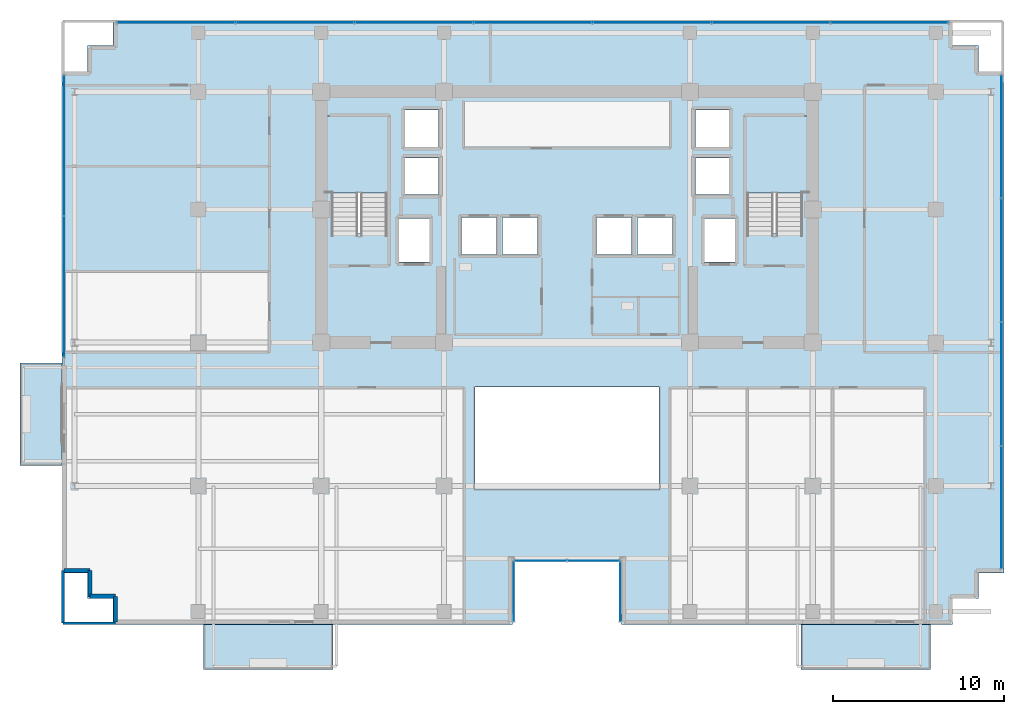
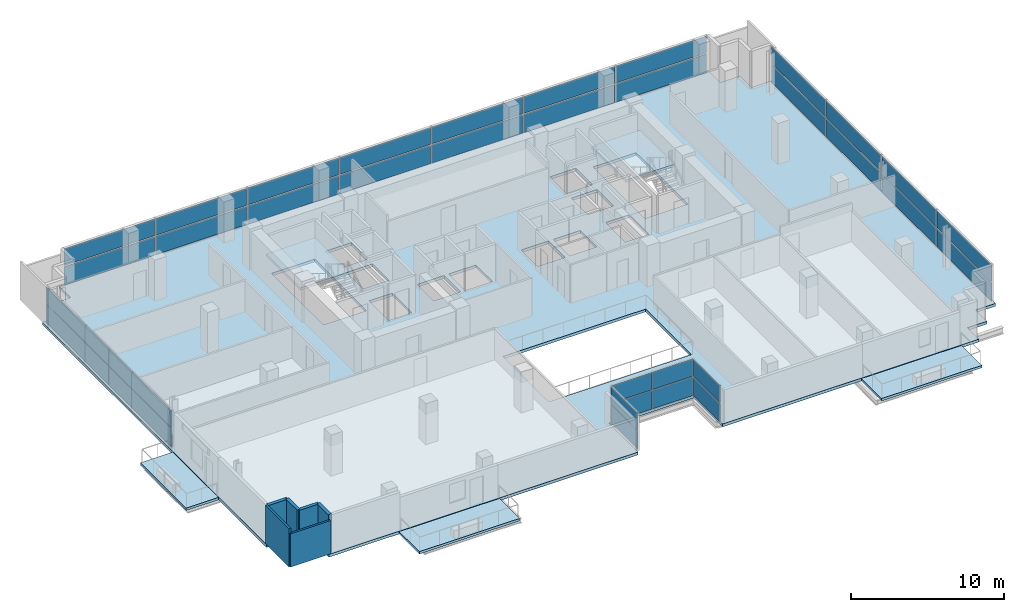
# One storey, part 19 of 28: 34 plates, 6 slabs, 6 walls, 8 elements without a shape of their own.
"""IFC4 building model written with IfcOpenShell, lengths in metres."""

from ifc_helpers import new_model, si_unit, direction, frame, frame_2d, origin, origin_2d, place, context, subcontext, project, spatial, polyline, rectangle, outline, extrude, source, transform, mapped, material, layer, layer_set, type_object, element, aggregate, save


model = new_model("IFC4")

# Units and contexts
model_context = context("Model", 3, precision=1e-05, world=origin(), true_north=direction((0.0, 1.0)))
body_context = subcontext(model_context, "Body", "Model", "MODEL_VIEW")
ifc_project = project(units=[si_unit("LENGTHUNIT", "METRE"), si_unit("AREAUNIT", "SQUARE_METRE"), si_unit("VOLUMEUNIT", "CUBIC_METRE"), si_unit("PLANEANGLEUNIT", "RADIAN"), si_unit("MASSUNIT", "GRAM", prefix="KILO")], contexts=[model_context])

# Site, building, storey
site_placement = place(None, origin())
site = spatial("IfcSite", under=ifc_project, at=site_placement, CompositionType="ELEMENT")
building_placement = place(site_placement, origin())
building = spatial("IfcBuilding", under=site, at=building_placement, Name="Zarnakvel Exchange Tower", CompositionType="ELEMENT")
storey_placement = place(building_placement, frame((0.0, 0.0, 109.89990234375)))
storey = spatial("IfcBuildingStorey", under=building, at=storey_placement, Name="L30", CompositionType="ELEMENT", Elevation=109.89990234375)

# Stair, slab
ifc_material_1 = material(Name="Concrete C40/50", Category="concrete")
stair_type = type_object("IfcStairType", Name="STR-01", PredefinedType="HALF_TURN_STAIR", material=ifc_material_1)
stair_1_placement = place(storey_placement, origin())
stair_1 = element("IfcStair", 1, at=stair_1_placement, inside=storey, type_object=stair_type, Name="L30 Protected Core Exit Stair ST-01", PredefinedType="HALF_TURN_STAIR")
ifc_layer_1 = layer(ifc_material_1, 0.199951171875)
ifc_layer_set_1 = layer_set([ifc_layer_1], Name="Concrete C40/50")
slab_type_1 = type_object("IfcSlabType", Name="LDG-01", PredefinedType="LANDING", material=ifc_layer_set_1)
slab_1_placement = place(storey_placement, frame((0.0, 0.0, 1.4501953125)))
slab_1 = element("IfcSlab", 2, at=slab_1_placement, type_object=slab_type_1, Name="ST-01 landing 1", PredefinedType="LANDING", context=body_context, shape_type="SweptSolid", body=[
    extrude(outline(polyline([(-14.18994140625, 7.570068359375), (-10.4599609375, 7.570068359375), (-10.4599609375, 12.080078125), (-14.18994140625, 12.080078125), (-14.18994140625, 7.570068359375)])), origin(), (0.0, 0.0, 1.0), 0.199951171875),
])
aggregate(stair_1, [slab_1])

stair_2_placement = place(storey_placement, origin())
stair_2 = element("IfcStair", 3, at=stair_2_placement, inside=storey, type_object=stair_type, Name="L30 Protected Core Exit Stair ST-02", PredefinedType="HALF_TURN_STAIR")
slab_2_placement = place(storey_placement, frame((0.0, 0.0, 1.4501953125)))
slab_2 = element("IfcSlab", 4, at=slab_2_placement, type_object=slab_type_1, Name="ST-02 landing 1", PredefinedType="LANDING", context=body_context, shape_type="SweptSolid", body=[
    extrude(outline(polyline([(10.4599609375, 7.570068359375), (14.18994140625, 7.570068359375), (14.18994140625, 12.080078125), (10.4599609375, 12.080078125), (10.4599609375, 7.570068359375)])), origin(), (0.0, 0.0, 1.0), 0.199951171875),
])
aggregate(stair_2, [slab_2])

# Slabs
ifc_layer_2 = layer(ifc_material_1, 0.22509765625)
ifc_layer_set_2 = layer_set([ifc_layer_2], Name="Concrete C40/50")
slab_type_2 = type_object("IfcSlabType", Name="SL-04", PredefinedType="FLOOR", material=ifc_layer_set_2)
slab_3_placement = place(storey_placement, frame((0.0, 0.0, -0.224853515625)))
element("IfcSlab", 5, at=slab_3_placement, inside=storey, type_object=slab_type_2, Name="L30 Primary Structural Floor Slab", PredefinedType="FLOOR", context=body_context, shape_type="SweptSolid", body=[
    extrude(outline(polyline([(-29.60009765625, -14.699951171875), (-28.10009765625, -14.699951171875), (-28.10009765625, -16.199951171875), (-26.60009765625, -16.199951171875), (-26.60009765625, -17.699951171875), (-3.199951171875, -17.699951171875), (-3.199951171875, -13.89990234375), (3.199951171875, -13.89990234375), (3.199951171875, -17.699951171875), (22.60009765625, -17.699951171875), (22.60009765625, -16.199951171875), (24.10009765625, -16.199951171875), (24.10009765625, -14.699951171875), (25.60009765625, -14.699951171875), (25.60009765625, 14.699951171875), (24.10009765625, 14.699951171875), (24.10009765625, 16.199951171875), (22.60009765625, 16.199951171875), (22.60009765625, 17.699951171875), (-26.60009765625, 17.699951171875), (-26.60009765625, 16.199951171875), (-28.10009765625, 16.199951171875), (-28.10009765625, 14.699951171875), (-29.60009765625, 14.699951171875), (-29.60009765625, -14.699951171875)]), holes=[polyline([(-5.39990234375, -9.800048828125), (5.39990234375, -9.800048828125), (5.39990234375, -3.800048828125), (-5.39990234375, -3.800048828125), (-5.39990234375, -9.800048828125)]), polyline([(-13.800048828125, 5.2099609375), (-10.5400390625, 5.2099609375), (-10.5400390625, 12.0), (-13.800048828125, 12.0), (-13.800048828125, 5.2099609375)]), polyline([(10.5400390625, 5.2099609375), (13.800048828125, 5.2099609375), (13.800048828125, 12.0), (10.5400390625, 12.0), (10.5400390625, 5.2099609375)]), polyline([(-9.830078125, 3.52001953125), (-8.070068359375, 3.52001953125), (-8.070068359375, 6.080078125), (-9.830078125, 6.080078125), (-9.830078125, 3.52001953125)]), polyline([(8.070068359375, 3.52001953125), (9.830078125, 3.52001953125), (9.830078125, 6.080078125), (8.070068359375, 6.080078125), (8.070068359375, 3.52001953125)]), polyline([(-6.179931640625, 3.969970703125), (-4.1201171875, 3.969970703125), (-4.1201171875, 6.1298828125), (-6.179931640625, 6.1298828125), (-6.179931640625, 3.969970703125)]), polyline([(-3.780029296875, 3.969970703125), (-1.719970703125, 3.969970703125), (-1.719970703125, 6.1298828125), (-3.780029296875, 6.1298828125), (-3.780029296875, 3.969970703125)]), polyline([(1.719970703125, 3.969970703125), (3.780029296875, 3.969970703125), (3.780029296875, 6.1298828125), (1.719970703125, 6.1298828125), (1.719970703125, 3.969970703125)]), polyline([(4.1201171875, 3.969970703125), (6.179931640625, 3.969970703125), (6.179931640625, 6.1298828125), (4.1201171875, 6.1298828125), (4.1201171875, 3.969970703125)]), polyline([(-9.47998046875, 7.469970703125), (-7.52001953125, 7.469970703125), (-7.52001953125, 9.6298828125), (-9.47998046875, 9.6298828125), (-9.47998046875, 7.469970703125)]), polyline([(-9.47998046875, 10.27001953125), (-7.52001953125, 10.27001953125), (-7.52001953125, 12.429931640625), (-9.47998046875, 12.429931640625), (-9.47998046875, 10.27001953125)]), polyline([(7.52001953125, 7.469970703125), (9.47998046875, 7.469970703125), (9.47998046875, 9.6298828125), (7.52001953125, 9.6298828125), (7.52001953125, 7.469970703125)]), polyline([(7.52001953125, 10.27001953125), (9.47998046875, 10.27001953125), (9.47998046875, 12.429931640625), (7.52001953125, 12.429931640625), (7.52001953125, 10.27001953125)])]), origin(), (0.0, 0.0, 1.0), 0.224853515625),
])
ifc_layer_3 = layer(ifc_material_1, 0.18994140625)
ifc_layer_set_3 = layer_set([ifc_layer_3], Name="Concrete C40/50")
slab_type_3 = type_object("IfcSlabType", Name="SL-08", PredefinedType="USERDEFINED", material=ifc_layer_set_3)
slab_4_placement = place(storey_placement, frame((0.0, 0.0, -0.224853515625)))
element("IfcSlab", 6, at=slab_4_placement, inside=storey, type_object=slab_type_3, Name="L30 Planted Loggia Balcony Slab BAL-L30-SW", ObjectType="BALCONY", PredefinedType="USERDEFINED", context=body_context, shape_type="SweptSolid", body=[
    extrude(outline(polyline([(-21.300048828125, -20.35009765625), (-13.699951171875, -20.35009765625), (-13.699951171875, -17.699951171875), (-21.300048828125, -17.699951171875), (-21.300048828125, -20.35009765625)])), origin(), (0.0, 0.0, 1.0), 0.18994140625),
])
slab_5_placement = place(storey_placement, frame((0.0, 0.0, -0.224853515625)))
element("IfcSlab", 7, at=slab_5_placement, inside=storey, type_object=slab_type_3, Name="L30 Planted Loggia Balcony Slab BAL-L30-SE", ObjectType="BALCONY", PredefinedType="USERDEFINED", context=body_context, shape_type="SweptSolid", body=[
    extrude(outline(polyline([(13.699951171875, -20.35009765625), (21.300048828125, -20.35009765625), (21.300048828125, -17.699951171875), (13.699951171875, -17.699951171875), (13.699951171875, -20.35009765625)])), origin(), (0.0, 0.0, 1.0), 0.18994140625),
])
slab_6_placement = place(storey_placement, frame((0.0, 0.0, -0.224853515625)))
element("IfcSlab", 8, at=slab_6_placement, inside=storey, type_object=slab_type_3, Name="L30 Planted Loggia Balcony Slab BAL-L30-W", ObjectType="BALCONY", PredefinedType="USERDEFINED", context=body_context, shape_type="SweptSolid", body=[
    extrude(outline(polyline([(-32.050048828125, -8.39990234375), (-29.60009765625, -8.39990234375), (-29.60009765625, -2.39990234375), (-32.050048828125, -2.39990234375), (-32.050048828125, -8.39990234375)])), origin(), (0.0, 0.0, 1.0), 0.18994140625),
])

# Curtain wall, plate
ifc_material_2 = material(Name="Architectural Bronze Anodised Aluminium", Category="aluminium")
ifc_layer_4 = layer(ifc_material_2, 0.179931640625)
ifc_layer_set_4 = layer_set([ifc_layer_4], Name="Architectural Bronze Anodised Aluminium")
curtain_wall_type_1 = type_object("IfcCurtainWallType", Name="CW-05", PredefinedType="NOTDEFINED", material=ifc_layer_set_4)
curtain_wall_1_placement = place(storey_placement, origin())
curtain_wall_1 = element("IfcCurtainWall", 9, at=curtain_wall_1_placement, inside=storey, type_object=curtain_wall_type_1, Name="L30 Curtain Wall CW-L30-SLW (CW-05)", PredefinedType="NOTDEFINED")
ifc_material_3 = material(Name="Double Low-E Laminated Vision Glass", Category="glass")
ifc_layer_5 = layer(ifc_material_3, 0.02587890625)
ifc_layer_set_5 = layer_set([ifc_layer_5], Name="Double Low-E Laminated Vision Glass")
plate_type_1 = type_object("IfcPlateType", Name="CWP-05", PredefinedType="CURTAIN_PANEL", material=ifc_layer_set_5)
shared_shape_1 = source(origin(), body_context, "Body", "SweptSolid", [
    extrude(rectangle(XDim=3.4599609375, YDim=0.02587890625, at=origin_2d()), origin(), (0.0, 0.0, 1.0), 1.483642578125),
])
plate_1_placement = place(storey_placement, frame((-3.1201171875, -15.780029296875, 0.0703125), z_axis=(0.0, 0.0, 1.0), x_axis=(0.0, 1.0, 0.0)))
plate_1 = element("IfcPlate", 10, at=plate_1_placement, type_object=plate_type_1, Name="CW-05 panel 1.1", PredefinedType="CURTAIN_PANEL", context=body_context, shape_type="MappedRepresentation", body=[
    mapped(shared_shape_1, transform((0.0, 0.0, 0.0), x_axis=(1.0, 0.0, 0.0), y_axis=(0.0, 1.0, 0.0), z_axis=(0.0, 0.0, 1.0), scale=1.0)),
])

curtain_wall_2_placement = place(storey_placement, origin())
curtain_wall_2 = element("IfcCurtainWall", 11, at=curtain_wall_2_placement, inside=storey, type_object=curtain_wall_type_1, Name="L30 Curtain Wall CW-L30-SLE (CW-05)", PredefinedType="NOTDEFINED")
plate_2_placement = place(storey_placement, frame((3.1201171875, -15.780029296875, 0.0703125), z_axis=(0.0, 0.0, 1.0), x_axis=(0.0, -1.0, 0.0)))
plate_2 = element("IfcPlate", 12, at=plate_2_placement, type_object=plate_type_1, Name="CW-05 panel 1.1", PredefinedType="CURTAIN_PANEL", context=body_context, shape_type="MappedRepresentation", body=[
    mapped(shared_shape_1, transform((0.0, 0.0, 0.0), x_axis=(1.0, 0.0, 0.0), y_axis=(0.0, 1.0, 0.0), z_axis=(0.0, 0.0, 1.0), scale=1.0)),
])

# Plate
shared_shape_2 = source(origin(), body_context, "Body", "SweptSolid", [
    extrude(rectangle(XDim=3.4599609375, YDim=0.02587890625, at=origin_2d()), origin(), (0.0, 0.0, 1.0), 1.361328125),
])
plate_3_placement = place(storey_placement, frame((-3.1201171875, -15.780029296875, 1.623779296875), z_axis=(0.0, 0.0, 1.0), x_axis=(0.0, 1.0, 0.0)))
plate_3 = element("IfcPlate", 13, at=plate_3_placement, type_object=plate_type_1, Name="CW-05 panel 1.2", PredefinedType="CURTAIN_PANEL", context=body_context, shape_type="MappedRepresentation", body=[
    mapped(shared_shape_2, transform((0.0, 0.0, 0.0), x_axis=(1.0, 0.0, 0.0), y_axis=(0.0, 1.0, 0.0), z_axis=(0.0, 0.0, 1.0), scale=1.0)),
])

aggregate(curtain_wall_1, [plate_1, plate_3])

plate_4_placement = place(storey_placement, frame((3.1201171875, -15.780029296875, 1.623779296875), z_axis=(0.0, 0.0, 1.0), x_axis=(0.0, -1.0, 0.0)))
plate_4 = element("IfcPlate", 14, at=plate_4_placement, type_object=plate_type_1, Name="CW-05 panel 1.2", PredefinedType="CURTAIN_PANEL", context=body_context, shape_type="MappedRepresentation", body=[
    mapped(shared_shape_2, transform((0.0, 0.0, 0.0), x_axis=(1.0, 0.0, 0.0), y_axis=(0.0, 1.0, 0.0), z_axis=(0.0, 0.0, 1.0), scale=1.0)),
])

aggregate(curtain_wall_2, [plate_2, plate_4])

# Curtain wall, plates
curtain_wall_3_placement = place(storey_placement, origin())
curtain_wall_3 = element("IfcCurtainWall", 15, at=curtain_wall_3_placement, inside=storey, type_object=curtain_wall_type_1, Name="L30 Curtain Wall CW-L30-SLB (CW-05)", PredefinedType="NOTDEFINED")
shared_shape_3 = source(origin(), body_context, "Body", "SweptSolid", [
    extrude(rectangle(XDim=3.014892578125, YDim=0.02587890625, at=origin_2d()), origin(), (0.0, 0.0, 1.0), 1.483642578125),
])
plate_5_placement = place(storey_placement, frame((-1.54248046875, -13.97998046875, 0.0703125), z_axis=(0.0, 0.0, 1.0), x_axis=(1.0, 0.0, 0.0)))
plate_5 = element("IfcPlate", 16, at=plate_5_placement, type_object=plate_type_1, Name="CW-05 panel 1.1", PredefinedType="CURTAIN_PANEL", context=body_context, shape_type="MappedRepresentation", body=[
    mapped(shared_shape_3, transform((0.0, 0.0, 0.0), x_axis=(1.0, 0.0, 0.0), y_axis=(0.0, 1.0, 0.0), z_axis=(0.0, 0.0, 1.0), scale=1.0)),
])
plate_6_placement = place(storey_placement, frame((1.54248046875, -13.97998046875, 0.0703125), z_axis=(0.0, 0.0, 1.0), x_axis=(1.0, 0.0, 0.0)))
plate_6 = element("IfcPlate", 17, at=plate_6_placement, type_object=plate_type_1, Name="CW-05 panel 2.1", PredefinedType="CURTAIN_PANEL", context=body_context, shape_type="MappedRepresentation", body=[
    mapped(shared_shape_3, transform((0.0, 0.0, 0.0), x_axis=(1.0, 0.0, 0.0), y_axis=(0.0, 1.0, 0.0), z_axis=(0.0, 0.0, 1.0), scale=1.0)),
])
shared_shape_4 = source(origin(), body_context, "Body", "SweptSolid", [
    extrude(rectangle(XDim=3.014892578125, YDim=0.02587890625, at=origin_2d()), origin(), (0.0, 0.0, 1.0), 1.361328125),
])
plate_7_placement = place(storey_placement, frame((-1.54248046875, -13.97998046875, 1.623779296875), z_axis=(0.0, 0.0, 1.0), x_axis=(1.0, 0.0, 0.0)))
plate_7 = element("IfcPlate", 18, at=plate_7_placement, type_object=plate_type_1, Name="CW-05 panel 1.2", PredefinedType="CURTAIN_PANEL", context=body_context, shape_type="MappedRepresentation", body=[
    mapped(shared_shape_4, transform((0.0, 0.0, 0.0), x_axis=(1.0, 0.0, 0.0), y_axis=(0.0, 1.0, 0.0), z_axis=(0.0, 0.0, 1.0), scale=1.0)),
])
plate_8_placement = place(storey_placement, frame((1.54248046875, -13.97998046875, 1.623779296875), z_axis=(0.0, 0.0, 1.0), x_axis=(1.0, 0.0, 0.0)))
plate_8 = element("IfcPlate", 19, at=plate_8_placement, type_object=plate_type_1, Name="CW-05 panel 2.2", PredefinedType="CURTAIN_PANEL", context=body_context, shape_type="MappedRepresentation", body=[
    mapped(shared_shape_4, transform((0.0, 0.0, 0.0), x_axis=(1.0, 0.0, 0.0), y_axis=(0.0, 1.0, 0.0), z_axis=(0.0, 0.0, 1.0), scale=1.0)),
])
aggregate(curtain_wall_3, [plate_5, plate_7, plate_6, plate_8])

ifc_layer_6 = layer(ifc_material_2, 0.199951171875)
ifc_layer_set_6 = layer_set([ifc_layer_6], Name="Architectural Bronze Anodised Aluminium")
curtain_wall_type_2 = type_object("IfcCurtainWallType", Name="CW-04", PredefinedType="NOTDEFINED", material=ifc_layer_set_6)
curtain_wall_4_placement = place(storey_placement, origin())
curtain_wall_4 = element("IfcCurtainWall", 20, at=curtain_wall_4_placement, inside=storey, type_object=curtain_wall_type_2, Name="L30 Curtain Wall CW-L30-E1 (CW-04)", PredefinedType="NOTDEFINED")
ifc_layer_7 = layer(ifc_material_3, 0.028076171875)
ifc_layer_set_7 = layer_set([ifc_layer_7], Name="Double Low-E Laminated Vision Glass")
plate_type_2 = type_object("IfcPlateType", Name="CWP-04", PredefinedType="CURTAIN_PANEL", material=ifc_layer_set_7)
shared_shape_5 = source(origin(), body_context, "Body", "SweptSolid", [
    extrude(rectangle(XDim=7.137451171875, YDim=0.028076171875, at=origin_2d()), origin(), (0.0, 0.0, 1.0), 1.47607421875),
])
plate_9_placement = place(storey_placement, frame((25.4599609375, -10.856201171875, 0.0751953125), z_axis=(0.0, 0.0, 1.0), x_axis=(0.0, 1.0, 0.0)))
plate_9 = element("IfcPlate", 21, at=plate_9_placement, type_object=plate_type_2, Name="CW-04 panel 1.1", PredefinedType="CURTAIN_PANEL", context=body_context, shape_type="MappedRepresentation", body=[
    mapped(shared_shape_5, transform((0.0, 0.0, 0.0), x_axis=(1.0, 0.0, 0.0), y_axis=(0.0, 1.0, 0.0), z_axis=(0.0, 0.0, 1.0), scale=1.0)),
])
plate_10_placement = place(storey_placement, frame((25.4599609375, 10.856201171875, 0.0751953125), z_axis=(0.0, 0.0, 1.0), x_axis=(0.0, 1.0, 0.0)))
plate_10 = element("IfcPlate", 22, at=plate_10_placement, type_object=plate_type_2, Name="CW-04 panel 4.1", PredefinedType="CURTAIN_PANEL", context=body_context, shape_type="MappedRepresentation", body=[
    mapped(shared_shape_5, transform((0.0, 0.0, 0.0), x_axis=(1.0, 0.0, 0.0), y_axis=(0.0, 1.0, 0.0), z_axis=(0.0, 0.0, 1.0), scale=1.0)),
])
shared_shape_6 = source(origin(), body_context, "Body", "SweptSolid", [
    extrude(rectangle(XDim=7.137451171875, YDim=0.028076171875, at=origin_2d()), origin(), (0.0, 0.0, 1.0), 1.35400390625),
])
plate_11_placement = place(storey_placement, frame((25.4599609375, -10.856201171875, 1.626220703125), z_axis=(0.0, 0.0, 1.0), x_axis=(0.0, 1.0, 0.0)))
plate_11 = element("IfcPlate", 23, at=plate_11_placement, type_object=plate_type_2, Name="CW-04 panel 1.2", PredefinedType="CURTAIN_PANEL", context=body_context, shape_type="MappedRepresentation", body=[
    mapped(shared_shape_6, transform((0.0, 0.0, 0.0), x_axis=(1.0, 0.0, 0.0), y_axis=(0.0, 1.0, 0.0), z_axis=(0.0, 0.0, 1.0), scale=1.0)),
])
plate_12_placement = place(storey_placement, frame((25.4599609375, 10.856201171875, 1.626220703125), z_axis=(0.0, 0.0, 1.0), x_axis=(0.0, 1.0, 0.0)))
plate_12 = element("IfcPlate", 24, at=plate_12_placement, type_object=plate_type_2, Name="CW-04 panel 4.2", PredefinedType="CURTAIN_PANEL", context=body_context, shape_type="MappedRepresentation", body=[
    mapped(shared_shape_6, transform((0.0, 0.0, 0.0), x_axis=(1.0, 0.0, 0.0), y_axis=(0.0, 1.0, 0.0), z_axis=(0.0, 0.0, 1.0), scale=1.0)),
])
shared_shape_7 = source(origin(), body_context, "Body", "SweptSolid", [
    extrude(rectangle(XDim=7.175048828125, YDim=0.028076171875, at=origin_2d()), origin(), (0.0, 0.0, 1.0), 1.47607421875),
])
plate_13_placement = place(storey_placement, frame((25.4599609375, -3.625, 0.0751953125), z_axis=(0.0, 0.0, 1.0), x_axis=(0.0, 1.0, 0.0)))
plate_13 = element("IfcPlate", 25, at=plate_13_placement, type_object=plate_type_2, Name="CW-04 panel 2.1", PredefinedType="CURTAIN_PANEL", context=body_context, shape_type="MappedRepresentation", body=[
    mapped(shared_shape_7, transform((0.0, 0.0, 0.0), x_axis=(1.0, 0.0, 0.0), y_axis=(0.0, 1.0, 0.0), z_axis=(0.0, 0.0, 1.0), scale=1.0)),
])
plate_14_placement = place(storey_placement, frame((25.4599609375, 3.625, 0.0751953125), z_axis=(0.0, 0.0, 1.0), x_axis=(0.0, 1.0, 0.0)))
plate_14 = element("IfcPlate", 26, at=plate_14_placement, type_object=plate_type_2, Name="CW-04 panel 3.1", PredefinedType="CURTAIN_PANEL", context=body_context, shape_type="MappedRepresentation", body=[
    mapped(shared_shape_7, transform((0.0, 0.0, 0.0), x_axis=(1.0, 0.0, 0.0), y_axis=(0.0, 1.0, 0.0), z_axis=(0.0, 0.0, 1.0), scale=1.0)),
])
shared_shape_8 = source(origin(), body_context, "Body", "SweptSolid", [
    extrude(rectangle(XDim=7.175048828125, YDim=0.028076171875, at=origin_2d()), origin(), (0.0, 0.0, 1.0), 1.35400390625),
])
plate_15_placement = place(storey_placement, frame((25.4599609375, -3.625, 1.626220703125), z_axis=(0.0, 0.0, 1.0), x_axis=(0.0, 1.0, 0.0)))
plate_15 = element("IfcPlate", 27, at=plate_15_placement, type_object=plate_type_2, Name="CW-04 panel 2.2", PredefinedType="CURTAIN_PANEL", context=body_context, shape_type="MappedRepresentation", body=[
    mapped(shared_shape_8, transform((0.0, 0.0, 0.0), x_axis=(1.0, 0.0, 0.0), y_axis=(0.0, 1.0, 0.0), z_axis=(0.0, 0.0, 1.0), scale=1.0)),
])
plate_16_placement = place(storey_placement, frame((25.4599609375, 3.625, 1.626220703125), z_axis=(0.0, 0.0, 1.0), x_axis=(0.0, 1.0, 0.0)))
plate_16 = element("IfcPlate", 28, at=plate_16_placement, type_object=plate_type_2, Name="CW-04 panel 3.2", PredefinedType="CURTAIN_PANEL", context=body_context, shape_type="MappedRepresentation", body=[
    mapped(shared_shape_8, transform((0.0, 0.0, 0.0), x_axis=(1.0, 0.0, 0.0), y_axis=(0.0, 1.0, 0.0), z_axis=(0.0, 0.0, 1.0), scale=1.0)),
])
aggregate(curtain_wall_4, [plate_9, plate_11, plate_13, plate_15, plate_14, plate_16, plate_10, plate_12])

curtain_wall_5_placement = place(storey_placement, origin())
curtain_wall_5 = element("IfcCurtainWall", 29, at=curtain_wall_5_placement, inside=storey, type_object=curtain_wall_type_2, Name="L30 Curtain Wall CW-L30-WN (CW-04)", PredefinedType="NOTDEFINED")
shared_shape_9 = source(origin(), body_context, "Body", "SweptSolid", [
    extrude(rectangle(XDim=8.1875, YDim=0.028076171875, at=origin_2d()), origin(), (0.0, 0.0, 1.0), 1.47607421875),
])
plate_17_placement = place(storey_placement, frame((-29.4599609375, 2.06884765625, 0.0751953125), z_axis=(0.0, 0.0, 1.0), x_axis=(0.0, 1.0, 0.0)))
plate_17 = element("IfcPlate", 30, at=plate_17_placement, type_object=plate_type_2, Name="CW-04 panel 1.1", PredefinedType="CURTAIN_PANEL", context=body_context, shape_type="MappedRepresentation", body=[
    mapped(shared_shape_9, transform((0.0, 0.0, 0.0), x_axis=(1.0, 0.0, 0.0), y_axis=(0.0, 1.0, 0.0), z_axis=(0.0, 0.0, 1.0), scale=1.0)),
])
plate_18_placement = place(storey_placement, frame((-29.4599609375, 10.331298828125, 0.0751953125), z_axis=(0.0, 0.0, 1.0), x_axis=(0.0, 1.0, 0.0)))
plate_18 = element("IfcPlate", 31, at=plate_18_placement, type_object=plate_type_2, Name="CW-04 panel 2.1", PredefinedType="CURTAIN_PANEL", context=body_context, shape_type="MappedRepresentation", body=[
    mapped(shared_shape_9, transform((0.0, 0.0, 0.0), x_axis=(1.0, 0.0, 0.0), y_axis=(0.0, 1.0, 0.0), z_axis=(0.0, 0.0, 1.0), scale=1.0)),
])
shared_shape_10 = source(origin(), body_context, "Body", "SweptSolid", [
    extrude(rectangle(XDim=8.1875, YDim=0.028076171875, at=origin_2d()), origin(), (0.0, 0.0, 1.0), 1.35400390625),
])
plate_19_placement = place(storey_placement, frame((-29.4599609375, 2.06884765625, 1.626220703125), z_axis=(0.0, 0.0, 1.0), x_axis=(0.0, 1.0, 0.0)))
plate_19 = element("IfcPlate", 32, at=plate_19_placement, type_object=plate_type_2, Name="CW-04 panel 1.2", PredefinedType="CURTAIN_PANEL", context=body_context, shape_type="MappedRepresentation", body=[
    mapped(shared_shape_10, transform((0.0, 0.0, 0.0), x_axis=(1.0, 0.0, 0.0), y_axis=(0.0, 1.0, 0.0), z_axis=(0.0, 0.0, 1.0), scale=1.0)),
])
plate_20_placement = place(storey_placement, frame((-29.4599609375, 10.331298828125, 1.626220703125), z_axis=(0.0, 0.0, 1.0), x_axis=(0.0, 1.0, 0.0)))
plate_20 = element("IfcPlate", 33, at=plate_20_placement, type_object=plate_type_2, Name="CW-04 panel 2.2", PredefinedType="CURTAIN_PANEL", context=body_context, shape_type="MappedRepresentation", body=[
    mapped(shared_shape_10, transform((0.0, 0.0, 0.0), x_axis=(1.0, 0.0, 0.0), y_axis=(0.0, 1.0, 0.0), z_axis=(0.0, 0.0, 1.0), scale=1.0)),
])
aggregate(curtain_wall_5, [plate_17, plate_19, plate_18, plate_20])

ifc_layer_8 = layer(ifc_material_2, 0.239990234375)
ifc_layer_set_8 = layer_set([ifc_layer_8], Name="Architectural Bronze Anodised Aluminium")
curtain_wall_type_3 = type_object("IfcCurtainWallType", Name="CW-02", PredefinedType="NOTDEFINED", material=ifc_layer_set_8)
curtain_wall_6_placement = place(storey_placement, origin())
curtain_wall_6 = element("IfcCurtainWall", 34, at=curtain_wall_6_placement, inside=storey, type_object=curtain_wall_type_3, Name="L30 Curtain Wall CW-L30-N1 (CW-02)", PredefinedType="NOTDEFINED")
ifc_layer_9 = layer(ifc_material_3, 0.031982421875)
ifc_layer_set_9 = layer_set([ifc_layer_9], Name="Double Low-E Laminated Vision Glass")
plate_type_3 = type_object("IfcPlateType", Name="CWP-02", PredefinedType="CURTAIN_PANEL", material=ifc_layer_set_9)
shared_shape_11 = source(origin(), body_context, "Body", "SweptSolid", [
    extrude(rectangle(XDim=6.83642578125, YDim=0.031982421875, at=origin_2d()), origin(), (0.0, 0.0, 1.0), 1.461181640625),
])
plate_21_placement = place(storey_placement, frame((-22.891845703125, 17.56005859375, 0.0849609375), z_axis=(0.0, 0.0, 1.0), x_axis=(1.0, 0.0, 0.0)))
plate_21 = element("IfcPlate", 35, at=plate_21_placement, type_object=plate_type_3, Name="CW-02 panel 1.1", PredefinedType="CURTAIN_PANEL", context=body_context, shape_type="MappedRepresentation", body=[
    mapped(shared_shape_11, transform((0.0, 0.0, 0.0), x_axis=(1.0, 0.0, 0.0), y_axis=(0.0, 1.0, 0.0), z_axis=(0.0, 0.0, 1.0), scale=1.0)),
])
plate_22_placement = place(storey_placement, frame((18.891845703125, 17.56005859375, 0.0849609375), z_axis=(0.0, 0.0, 1.0), x_axis=(1.0, 0.0, 0.0)))
plate_22 = element("IfcPlate", 36, at=plate_22_placement, type_object=plate_type_3, Name="CW-02 panel 7.1", PredefinedType="CURTAIN_PANEL", context=body_context, shape_type="MappedRepresentation", body=[
    mapped(shared_shape_11, transform((0.0, 0.0, 0.0), x_axis=(1.0, 0.0, 0.0), y_axis=(0.0, 1.0, 0.0), z_axis=(0.0, 0.0, 1.0), scale=1.0)),
])
shared_shape_12 = source(origin(), body_context, "Body", "SweptSolid", [
    extrude(rectangle(XDim=6.83642578125, YDim=0.031982421875, at=origin_2d()), origin(), (0.0, 0.0, 1.0), 1.3388671875),
])
plate_23_placement = place(storey_placement, frame((-22.891845703125, 17.56005859375, 1.631103515625), z_axis=(0.0, 0.0, 1.0), x_axis=(1.0, 0.0, 0.0)))
plate_23 = element("IfcPlate", 37, at=plate_23_placement, type_object=plate_type_3, Name="CW-02 panel 1.2", PredefinedType="CURTAIN_PANEL", context=body_context, shape_type="MappedRepresentation", body=[
    mapped(shared_shape_12, transform((0.0, 0.0, 0.0), x_axis=(1.0, 0.0, 0.0), y_axis=(0.0, 1.0, 0.0), z_axis=(0.0, 0.0, 1.0), scale=1.0)),
])
plate_24_placement = place(storey_placement, frame((18.891845703125, 17.56005859375, 1.631103515625), z_axis=(0.0, 0.0, 1.0), x_axis=(1.0, 0.0, 0.0)))
plate_24 = element("IfcPlate", 38, at=plate_24_placement, type_object=plate_type_3, Name="CW-02 panel 7.2", PredefinedType="CURTAIN_PANEL", context=body_context, shape_type="MappedRepresentation", body=[
    mapped(shared_shape_12, transform((0.0, 0.0, 0.0), x_axis=(1.0, 0.0, 0.0), y_axis=(0.0, 1.0, 0.0), z_axis=(0.0, 0.0, 1.0), scale=1.0)),
])
shared_shape_13 = source(origin(), body_context, "Body", "SweptSolid", [
    extrude(rectangle(XDim=6.88134765625, YDim=0.031982421875, at=origin_2d()), origin(), (0.0, 0.0, 1.0), 1.461181640625),
])
plate_25_placement = place(storey_placement, frame((-15.94287109375, 17.56005859375, 0.0849609375), z_axis=(0.0, 0.0, 1.0), x_axis=(1.0, 0.0, 0.0)))
plate_25 = element("IfcPlate", 39, at=plate_25_placement, type_object=plate_type_3, Name="CW-02 panel 2.1", PredefinedType="CURTAIN_PANEL", context=body_context, shape_type="MappedRepresentation", body=[
    mapped(shared_shape_13, transform((0.0, 0.0, 0.0), x_axis=(1.0, 0.0, 0.0), y_axis=(0.0, 1.0, 0.0), z_axis=(0.0, 0.0, 1.0), scale=1.0)),
])
plate_26_placement = place(storey_placement, frame((-8.971435546875, 17.56005859375, 0.0849609375), z_axis=(0.0, 0.0, 1.0), x_axis=(1.0, 0.0, 0.0)))
plate_26 = element("IfcPlate", 40, at=plate_26_placement, type_object=plate_type_3, Name="CW-02 panel 3.1", PredefinedType="CURTAIN_PANEL", context=body_context, shape_type="MappedRepresentation", body=[
    mapped(shared_shape_13, transform((0.0, 0.0, 0.0), x_axis=(1.0, 0.0, 0.0), y_axis=(0.0, 1.0, 0.0), z_axis=(0.0, 0.0, 1.0), scale=1.0)),
])
plate_27_placement = place(storey_placement, frame((-2.0, 17.56005859375, 0.0849609375), z_axis=(0.0, 0.0, 1.0), x_axis=(1.0, 0.0, 0.0)))
plate_27 = element("IfcPlate", 41, at=plate_27_placement, type_object=plate_type_3, Name="CW-02 panel 4.1", PredefinedType="CURTAIN_PANEL", context=body_context, shape_type="MappedRepresentation", body=[
    mapped(shared_shape_13, transform((0.0, 0.0, 0.0), x_axis=(1.0, 0.0, 0.0), y_axis=(0.0, 1.0, 0.0), z_axis=(0.0, 0.0, 1.0), scale=1.0)),
])
plate_28_placement = place(storey_placement, frame((4.971435546875, 17.56005859375, 0.0849609375), z_axis=(0.0, 0.0, 1.0), x_axis=(1.0, 0.0, 0.0)))
plate_28 = element("IfcPlate", 42, at=plate_28_placement, type_object=plate_type_3, Name="CW-02 panel 5.1", PredefinedType="CURTAIN_PANEL", context=body_context, shape_type="MappedRepresentation", body=[
    mapped(shared_shape_13, transform((0.0, 0.0, 0.0), x_axis=(1.0, 0.0, 0.0), y_axis=(0.0, 1.0, 0.0), z_axis=(0.0, 0.0, 1.0), scale=1.0)),
])
plate_29_placement = place(storey_placement, frame((11.94287109375, 17.56005859375, 0.0849609375), z_axis=(0.0, 0.0, 1.0), x_axis=(1.0, 0.0, 0.0)))
plate_29 = element("IfcPlate", 43, at=plate_29_placement, type_object=plate_type_3, Name="CW-02 panel 6.1", PredefinedType="CURTAIN_PANEL", context=body_context, shape_type="MappedRepresentation", body=[
    mapped(shared_shape_13, transform((0.0, 0.0, 0.0), x_axis=(1.0, 0.0, 0.0), y_axis=(0.0, 1.0, 0.0), z_axis=(0.0, 0.0, 1.0), scale=1.0)),
])
shared_shape_14 = source(origin(), body_context, "Body", "SweptSolid", [
    extrude(rectangle(XDim=6.88134765625, YDim=0.031982421875, at=origin_2d()), origin(), (0.0, 0.0, 1.0), 1.3388671875),
])
plate_30_placement = place(storey_placement, frame((-15.94287109375, 17.56005859375, 1.631103515625), z_axis=(0.0, 0.0, 1.0), x_axis=(1.0, 0.0, 0.0)))
plate_30 = element("IfcPlate", 44, at=plate_30_placement, type_object=plate_type_3, Name="CW-02 panel 2.2", PredefinedType="CURTAIN_PANEL", context=body_context, shape_type="MappedRepresentation", body=[
    mapped(shared_shape_14, transform((0.0, 0.0, 0.0), x_axis=(1.0, 0.0, 0.0), y_axis=(0.0, 1.0, 0.0), z_axis=(0.0, 0.0, 1.0), scale=1.0)),
])
plate_31_placement = place(storey_placement, frame((-8.971435546875, 17.56005859375, 1.631103515625), z_axis=(0.0, 0.0, 1.0), x_axis=(1.0, 0.0, 0.0)))
plate_31 = element("IfcPlate", 45, at=plate_31_placement, type_object=plate_type_3, Name="CW-02 panel 3.2", PredefinedType="CURTAIN_PANEL", context=body_context, shape_type="MappedRepresentation", body=[
    mapped(shared_shape_14, transform((0.0, 0.0, 0.0), x_axis=(1.0, 0.0, 0.0), y_axis=(0.0, 1.0, 0.0), z_axis=(0.0, 0.0, 1.0), scale=1.0)),
])
plate_32_placement = place(storey_placement, frame((-2.0, 17.56005859375, 1.631103515625), z_axis=(0.0, 0.0, 1.0), x_axis=(1.0, 0.0, 0.0)))
plate_32 = element("IfcPlate", 46, at=plate_32_placement, type_object=plate_type_3, Name="CW-02 panel 4.2", PredefinedType="CURTAIN_PANEL", context=body_context, shape_type="MappedRepresentation", body=[
    mapped(shared_shape_14, transform((0.0, 0.0, 0.0), x_axis=(1.0, 0.0, 0.0), y_axis=(0.0, 1.0, 0.0), z_axis=(0.0, 0.0, 1.0), scale=1.0)),
])
plate_33_placement = place(storey_placement, frame((4.971435546875, 17.56005859375, 1.631103515625), z_axis=(0.0, 0.0, 1.0), x_axis=(1.0, 0.0, 0.0)))
plate_33 = element("IfcPlate", 47, at=plate_33_placement, type_object=plate_type_3, Name="CW-02 panel 5.2", PredefinedType="CURTAIN_PANEL", context=body_context, shape_type="MappedRepresentation", body=[
    mapped(shared_shape_14, transform((0.0, 0.0, 0.0), x_axis=(1.0, 0.0, 0.0), y_axis=(0.0, 1.0, 0.0), z_axis=(0.0, 0.0, 1.0), scale=1.0)),
])
plate_34_placement = place(storey_placement, frame((11.94287109375, 17.56005859375, 1.631103515625), z_axis=(0.0, 0.0, 1.0), x_axis=(1.0, 0.0, 0.0)))
plate_34 = element("IfcPlate", 48, at=plate_34_placement, type_object=plate_type_3, Name="CW-02 panel 6.2", PredefinedType="CURTAIN_PANEL", context=body_context, shape_type="MappedRepresentation", body=[
    mapped(shared_shape_14, transform((0.0, 0.0, 0.0), x_axis=(1.0, 0.0, 0.0), y_axis=(0.0, 1.0, 0.0), z_axis=(0.0, 0.0, 1.0), scale=1.0)),
])
aggregate(curtain_wall_6, [plate_21, plate_23, plate_25, plate_30, plate_26, plate_31, plate_27, plate_32, plate_28, plate_33, plate_29, plate_34, plate_22, plate_24])

# Walls
ifc_material_4 = material(Name="Precast concrete C40/50", Category="concrete")
ifc_layer_10 = layer(ifc_material_4, 0.239990234375)
ifc_layer_set_10 = layer_set([ifc_layer_10], Name="Precast concrete C40/50")
wall_type_1 = type_object("IfcWallType", Name="EW-02", PredefinedType="SOLIDWALL", material=ifc_layer_set_10)
for number, where, z_axis, x_axis, name in (
    (49, (-26.4599609375, -16.06005859375, 0.0), (0.0, 0.0, 1.0), (0.0, -1.0, 0.0), "L30 Exterior Precast Spandrel Wall EWC-L30-23 (EW-02)"),
    (50, (-27.9599609375, -16.06005859375, 0.0), (0.0, 0.0, 1.0), (1.0, 0.0, 0.0), "L30 Exterior Precast Spandrel Wall EWC-L30-24 (EW-02)"),
    (51, (-27.9599609375, -14.56005859375, 0.0), (0.0, 0.0, 1.0), (0.0, -1.0, 0.0), "L30 Exterior Precast Spandrel Wall EWC-L30-25 (EW-02)"),
    (52, (-29.4599609375, -14.56005859375, 0.0), (0.0, 0.0, 1.0), (1.0, 0.0, 0.0), "L30 Exterior Precast Spandrel Wall EWC-L30-26 (EW-02)"),
):
    element("IfcWall", number, at=place(storey_placement, frame(where, z_axis=z_axis, x_axis=x_axis)), inside=storey, type_object=wall_type_1, Name=name, PredefinedType="SOLIDWALL", context=body_context, shape_type="SweptSolid", body=[
        extrude(rectangle(XDim=1.5, YDim=0.239990234375, at=frame_2d((0.75, 0.0))), origin(), (0.0, 0.0, 1.0), 3.0751953125),
    ])
ifc_material_5 = material(Name="Fire-Rated Gypsum Stud Partition", Category="gypsum")
ifc_layer_11 = layer(ifc_material_5, 0.14990234375)
ifc_layer_set_11 = layer_set([ifc_layer_11], Name="Fire-Rated Gypsum Stud Partition")
wall_type_2 = type_object("IfcWallType", Name="PT-01", PredefinedType="PARTITIONING", material=ifc_layer_set_11)
wall_1_placement = place(storey_placement, frame((-26.4599609375, -17.6298828125, 0.0), z_axis=(0.0, 0.0, 1.0), x_axis=(-1.0, 0.0, 0.0)))
element("IfcWall", 53, at=wall_1_placement, inside=storey, type_object=wall_type_2, Name="L30 Partition Wall PWALL-L30-025 (PT-01)", PredefinedType="PARTITIONING", context=body_context, shape_type="SweptSolid", body=[
    extrude(rectangle(XDim=3.070068359375, YDim=0.14990234375, at=frame_2d((1.53515625, 0.0))), origin(), (0.0, 0.0, 1.0), 2.6650390625),
])
wall_2_placement = place(storey_placement, frame((-29.530029296875, -17.6298828125, 0.0), z_axis=(0.0, 0.0, 1.0), x_axis=(0.0, 1.0, 0.0)))
element("IfcWall", 54, at=wall_2_placement, inside=storey, type_object=wall_type_2, Name="L30 Partition Wall PWALL-L30-027 (PT-01)", PredefinedType="PARTITIONING", context=body_context, shape_type="SweptSolid", body=[
    extrude(rectangle(XDim=3.06982421875, YDim=0.14990234375, at=frame_2d((1.534912109375, 0.0))), origin(), (0.0, 0.0, 1.0), 3.0751953125),
])

save(model, "model.ifc")
